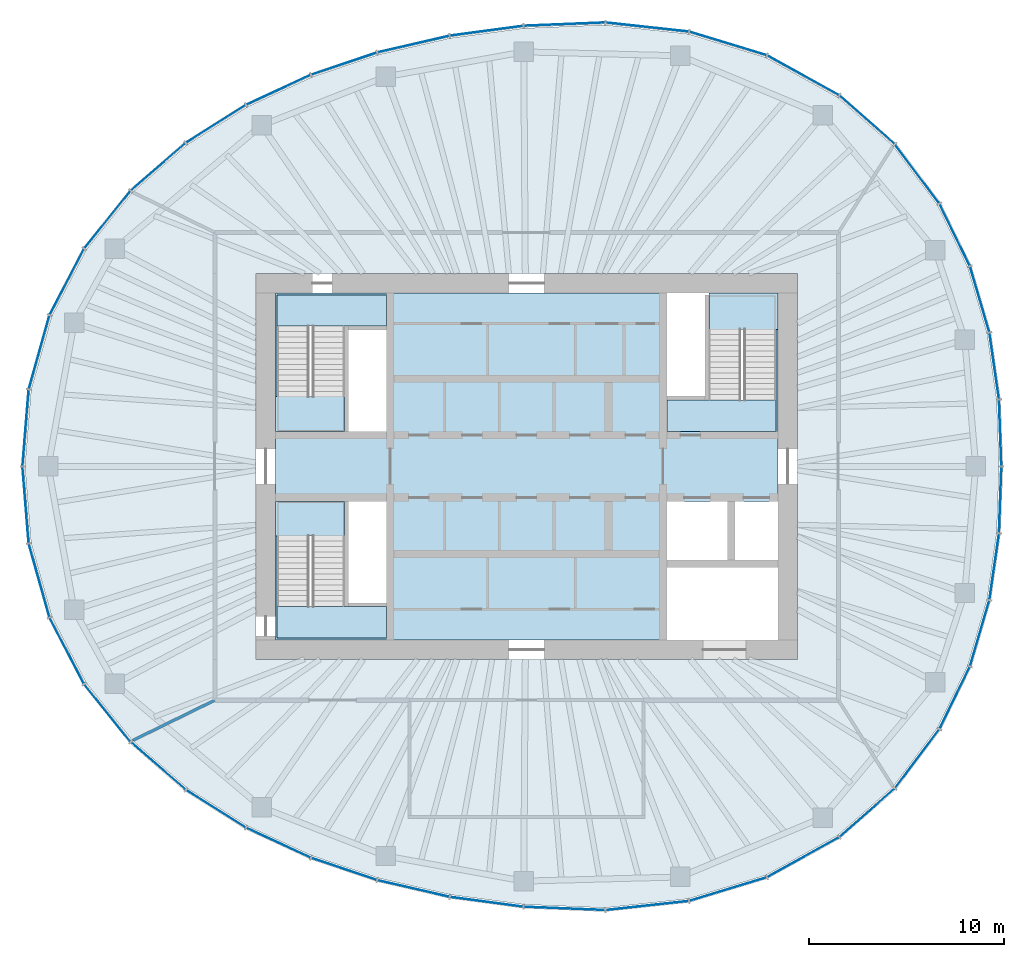
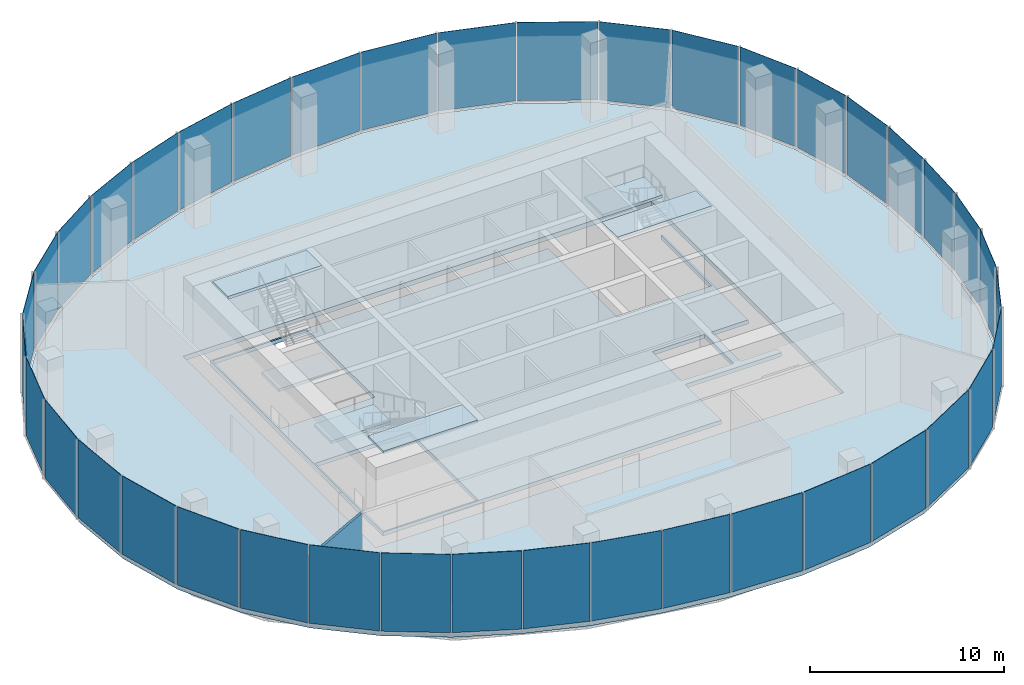
# One storey, part 7 of 11: 40 plates, 8 slabs, 1 wall, 23 elements without a shape of their own.
"""IFC4 building model written with IfcOpenShell, lengths in metres."""

from ifc_helpers import new_model, si_unit, direction, frame, frame_2d, origin, origin_2d, place, context, subcontext, project, spatial, polyline, rectangle, outline, extrude, material, layer, layer_set, type_object, element, aggregate, save


model = new_model("IFC4")

# Units and contexts
model_context = context("Model", 3, precision=1e-05, world=origin(), true_north=direction((0.0, 1.0)))
body_context = subcontext(model_context, "Body", "Model", "MODEL_VIEW")
ifc_project = project(units=[si_unit("LENGTHUNIT", "METRE"), si_unit("AREAUNIT", "SQUARE_METRE"), si_unit("VOLUMEUNIT", "CUBIC_METRE"), si_unit("PLANEANGLEUNIT", "RADIAN"), si_unit("MASSUNIT", "GRAM", prefix="KILO")], contexts=[model_context])

# Site, building, storey
site_placement = place(None, origin())
site = spatial("IfcSite", under=ifc_project, at=site_placement, CompositionType="ELEMENT")
building_placement = place(site_placement, origin())
building = spatial("IfcBuilding", under=site, at=building_placement, Name="Ghaith Harvest Tower", CompositionType="ELEMENT")
storey_placement = place(building_placement, frame((0.0, 0.0, 344.199951171875)))
storey = spatial("IfcBuildingStorey", under=building, at=storey_placement, Name="L77", CompositionType="ELEMENT", Elevation=344.199951171875)

# Curtain wall, plates
ifc_material_1 = material(Name="Black anodised aluminium and fritted glass", Category="aluminium")
curtain_wall_type = type_object("IfcCurtainWallType", Name="CW-C CURTAIN WALL", PredefinedType="NOTDEFINED", material=ifc_material_1)
curtain_wall_1_placement = place(storey_placement, origin())
curtain_wall_1 = element("IfcCurtainWall", 1, at=curtain_wall_1_placement, inside=storey, type_object=curtain_wall_type, Name="Curtain wall CW-C bay 01 L77", PredefinedType="NOTDEFINED")
ifc_material_2 = material(Name="Glass, translucent fritted laminated unit", Category="glass")
ifc_layer_1 = layer(ifc_material_2, 0.02392578125)
ifc_layer_set_1 = layer_set([ifc_layer_1], Name="CW-C VISION PANEL")
plate_type = type_object("IfcPlateType", Name="CW-C VISION PANEL", PredefinedType="CURTAIN_PANEL", material=ifc_layer_set_1)
plate_1_placement = place(storey_placement, frame((24.308837890625, 1.716796875, 0.080078125), z_axis=(0.0, 0.0, 1.0), x_axis=(-0.035536161859, 0.999368391135, 0.0)))
plate_1 = element("IfcPlate", 2, at=plate_1_placement, type_object=plate_type, Name="CW-C panel 1 bay 01 L77", PredefinedType="CURTAIN_PANEL", context=body_context, shape_type="SweptSolid", body=[
    extrude(rectangle(XDim=3.35595703125, YDim=0.02392578125, at=origin_2d()), origin(), (0.0, 0.0, 1.0), 4.919921875),
])
plate_2_placement = place(storey_placement, frame((24.00048828125, 5.1494140625, 0.080078125), z_axis=(0.0, 0.0, 1.0), x_axis=(-0.142729771229, 0.989761694755, 0.0)))
plate_2 = element("IfcPlate", 3, at=plate_2_placement, type_object=plate_type, Name="CW-C panel 2 bay 01 L77", PredefinedType="CURTAIN_PANEL", context=body_context, shape_type="SweptSolid", body=[
    extrude(rectangle(XDim=3.38671875, YDim=0.02392578125, at=origin_2d()), origin(), (0.0, 0.0, 1.0), 4.919921875),
])
aggregate(curtain_wall_1, [plate_1, plate_2])

curtain_wall_2_placement = place(storey_placement, origin())
curtain_wall_2 = element("IfcCurtainWall", 4, at=curtain_wall_2_placement, inside=storey, type_object=curtain_wall_type, Name="Curtain wall CW-C bay 02 L77", PredefinedType="NOTDEFINED")
plate_3_placement = place(storey_placement, frame((23.253662109375, 8.56884765625, 0.080078125), z_axis=(0.0, 0.0, 1.0), x_axis=(-0.281344622776, 0.959606796159, 0.0)))
plate_3 = element("IfcPlate", 5, at=plate_3_placement, type_object=plate_type, Name="CW-C panel 1 bay 02 L77", PredefinedType="CURTAIN_PANEL", context=body_context, shape_type="SweptSolid", body=[
    extrude(rectangle(XDim=3.470703125, YDim=0.02392578125, at=origin_2d()), origin(), (0.0, 0.0, 1.0), 4.919921875),
])
plate_4_placement = place(storey_placement, frame((21.9716796875, 11.878662109375, 0.080078125), z_axis=(0.0, 0.0, 1.0), x_axis=(-0.437968365148, 0.898990384337, 0.0)))
plate_4 = element("IfcPlate", 6, at=plate_4_placement, type_object=plate_type, Name="CW-C panel 2 bay 02 L77", PredefinedType="CURTAIN_PANEL", context=body_context, shape_type="SweptSolid", body=[
    extrude(rectangle(XDim=3.49365234375, YDim=0.02392578125, at=origin_2d()), origin(), (0.0, 0.0, 1.0), 4.919921875),
])
aggregate(curtain_wall_2, [plate_3, plate_4])

curtain_wall_3_placement = place(storey_placement, origin())
curtain_wall_3 = element("IfcCurtainWall", 7, at=curtain_wall_3_placement, inside=storey, type_object=curtain_wall_type, Name="Curtain wall CW-C bay 03 L77", PredefinedType="NOTDEFINED")
plate_5_placement = place(storey_placement, frame((20.045166015625, 15.006103515625, 0.080078125), z_axis=(0.0, 0.0, 1.0), x_axis=(-0.601047892764, 0.799213007029, 0.0)))
plate_5 = element("IfcPlate", 8, at=plate_5_placement, type_object=plate_type, Name="CW-C panel 1 bay 03 L77", PredefinedType="CURTAIN_PANEL", context=body_context, shape_type="SweptSolid", body=[
    extrude(rectangle(XDim=3.7265625, YDim=0.02392578125, at=origin_2d()), origin(), (0.0, 0.0, 1.0), 4.919921875),
])
plate_6_placement = place(storey_placement, frame((17.47509765625, 17.779541015625, 0.080078125), z_axis=(0.0, 0.0, 1.0), x_axis=(-0.751334532416, 0.659921525941, 0.0)))
plate_6 = element("IfcPlate", 9, at=plate_6_placement, type_object=plate_type, Name="CW-C panel 2 bay 03 L77", PredefinedType="CURTAIN_PANEL", context=body_context, shape_type="SweptSolid", body=[
    extrude(rectangle(XDim=3.7158203125, YDim=0.02392578125, at=origin_2d()), origin(), (0.0, 0.0, 1.0), 4.919921875),
])
aggregate(curtain_wall_3, [plate_5, plate_6])

curtain_wall_4_placement = place(storey_placement, origin())
curtain_wall_4 = element("IfcCurtainWall", 10, at=curtain_wall_4_placement, inside=storey, type_object=curtain_wall_type, Name="Curtain wall CW-C bay 04 L77", PredefinedType="NOTDEFINED")
plate_7_placement = place(storey_placement, frame((14.19189453125, 20.06201171875, 0.080078125), z_axis=(0.0, 0.0, 1.0), x_axis=(-0.87456402291, 0.484910063653, 0.0)))
plate_7 = element("IfcPlate", 11, at=plate_7_placement, type_object=plate_type, Name="CW-C panel 1 bay 04 L77", PredefinedType="CURTAIN_PANEL", context=body_context, shape_type="SweptSolid", body=[
    extrude(rectangle(XDim=4.167724609375, YDim=0.02392578125, at=origin_2d()), origin(), (0.0, 0.0, 1.0), 4.919921875),
])
plate_8_placement = place(storey_placement, frame((10.337158203125, 21.700439453125, 0.080078125), z_axis=(0.0, 0.0, 1.0), x_axis=(-0.956587736124, 0.291444511181, 0.0)))
plate_8 = element("IfcPlate", 12, at=plate_8_placement, type_object=plate_type, Name="CW-C panel 2 bay 04 L77", PredefinedType="CURTAIN_PANEL", context=body_context, shape_type="SweptSolid", body=[
    extrude(rectangle(XDim=4.095703125, YDim=0.02392578125, at=origin_2d()), origin(), (0.0, 0.0, 1.0), 4.919921875),
])
aggregate(curtain_wall_4, [plate_7, plate_8])

curtain_wall_5_placement = place(storey_placement, origin())
curtain_wall_5 = element("IfcCurtainWall", 13, at=curtain_wall_5_placement, inside=storey, type_object=curtain_wall_type, Name="Curtain wall CW-C bay 05 L77", PredefinedType="NOTDEFINED")
plate_9_placement = place(storey_placement, frame((6.188720703125, 22.542724609375, 0.080078125), z_axis=(0.0, 0.0, 1.0), x_axis=(-0.994142883447, 0.108073712304, 0.0)))
plate_9 = element("IfcPlate", 14, at=plate_9_placement, type_object=plate_type, Name="CW-C panel 1 bay 05 L77", PredefinedType="CURTAIN_PANEL", context=body_context, shape_type="SweptSolid", body=[
    extrude(rectangle(XDim=4.24755859375, YDim=0.02392578125, at=origin_2d()), origin(), (0.0, 0.0, 1.0), 4.919921875),
])
plate_10_placement = place(storey_placement, frame((1.94140625, 22.691162109375, 0.080078125), z_axis=(0.0, 0.0, 1.0), x_axis=(-0.999173925852, -0.040638231968, 0.0)))
plate_10 = element("IfcPlate", 15, at=plate_10_placement, type_object=plate_type, Name="CW-C panel 2 bay 05 L77", PredefinedType="CURTAIN_PANEL", context=body_context, shape_type="SweptSolid", body=[
    extrude(rectangle(XDim=4.115966796875, YDim=0.02392578125, at=origin_2d()), origin(), (0.0, 0.0, 1.0), 4.919921875),
])
aggregate(curtain_wall_5, [plate_9, plate_10])

curtain_wall_6_placement = place(storey_placement, origin())
curtain_wall_6 = element("IfcCurtainWall", 16, at=curtain_wall_6_placement, inside=storey, type_object=curtain_wall_type, Name="Curtain wall CW-C bay 06 L77", PredefinedType="NOTDEFINED")
plate_11_placement = place(storey_placement, frame((-2.050537109375, 22.352294921875, 0.080078125), z_axis=(0.0, 0.0, 1.0), x_axis=(-0.991165262661, -0.132632658474, 0.0)))
plate_11 = element("IfcPlate", 17, at=plate_11_placement, type_object=plate_type, Name="CW-C panel 1 bay 06 L77", PredefinedType="CURTAIN_PANEL", context=body_context, shape_type="SweptSolid", body=[
    extrude(rectangle(XDim=3.74560546875, YDim=0.02392578125, at=origin_2d()), origin(), (0.0, 0.0, 1.0), 4.919921875),
])
plate_12_placement = place(storey_placement, frame((-5.80859375, 21.66845703125, 0.080078125), z_axis=(0.0, 0.0, 1.0), x_axis=(-0.974342245415, -0.225071519297, 0.0)))
plate_12 = element("IfcPlate", 18, at=plate_12_placement, type_object=plate_type, Name="CW-C panel 2 bay 06 L77", PredefinedType="CURTAIN_PANEL", context=body_context, shape_type="SweptSolid", body=[
    extrude(rectangle(XDim=3.742431640625, YDim=0.02392578125, at=origin_2d()), origin(), (0.0, 0.0, 1.0), 4.919921875),
])
aggregate(curtain_wall_6, [plate_11, plate_12])

curtain_wall_7_placement = place(storey_placement, origin())
curtain_wall_7 = element("IfcCurtainWall", 19, at=curtain_wall_7_placement, inside=storey, type_object=curtain_wall_type, Name="Curtain wall CW-C bay 07 L77", PredefinedType="NOTDEFINED")
plate_13_placement = place(storey_placement, frame((-9.369140625, 20.665771484375, 0.080078125), z_axis=(0.0, 0.0, 1.0), x_axis=(-0.947586403329, -0.319499621637, 0.0)))
plate_13 = element("IfcPlate", 20, at=plate_13_placement, type_object=plate_type, Name="CW-C panel 1 bay 07 L77", PredefinedType="CURTAIN_PANEL", context=body_context, shape_type="SweptSolid", body=[
    extrude(rectangle(XDim=3.50439453125, YDim=0.02392578125, at=origin_2d()), origin(), (0.0, 0.0, 1.0), 4.919921875),
])
plate_14_placement = place(storey_placement, frame((-12.736083984375, 19.3203125, 0.080078125), z_axis=(0.0, 0.0, 1.0), x_axis=(-0.907450165401, -0.420159728334, 0.0)))
plate_14 = element("IfcPlate", 21, at=plate_14_placement, type_object=plate_type, Name="CW-C panel 2 bay 07 L77", PredefinedType="CURTAIN_PANEL", context=body_context, shape_type="SweptSolid", body=[
    extrude(rectangle(XDim=3.597900390625, YDim=0.02392578125, at=origin_2d()), origin(), (0.0, 0.0, 1.0), 4.919921875),
])
aggregate(curtain_wall_7, [plate_13, plate_14])

curtain_wall_8_placement = place(storey_placement, origin())
curtain_wall_8 = element("IfcCurtainWall", 22, at=curtain_wall_8_placement, inside=storey, type_object=curtain_wall_type, Name="Curtain wall CW-C bay 08 L77", PredefinedType="NOTDEFINED")
plate_15_placement = place(storey_placement, frame((-15.94970703125, 17.57421875, 0.080078125), z_axis=(0.0, 0.0, 1.0), x_axis=(-0.846043473903, -0.533113909279, 0.0)))
plate_15 = element("IfcPlate", 23, at=plate_15_placement, type_object=plate_type, Name="CW-C panel 1 bay 08 L77", PredefinedType="CURTAIN_PANEL", context=body_context, shape_type="SweptSolid", body=[
    extrude(rectangle(XDim=3.572021484375, YDim=0.02392578125, at=origin_2d()), origin(), (0.0, 0.0, 1.0), 4.919921875),
])
plate_16_placement = place(storey_placement, frame((-18.909423828125, 15.371337890625, 0.080078125), z_axis=(0.0, 0.0, 1.0), x_axis=(-0.754828549513, -0.655922145411, 0.0)))
plate_16 = element("IfcPlate", 24, at=plate_16_placement, type_object=plate_type, Name="CW-C panel 2 bay 08 L77", PredefinedType="CURTAIN_PANEL", context=body_context, shape_type="SweptSolid", body=[
    extrude(rectangle(XDim=3.668701171875, YDim=0.02392578125, at=origin_2d()), origin(), (0.0, 0.0, 1.0), 4.919921875),
])
aggregate(curtain_wall_8, [plate_15, plate_16])

curtain_wall_9_placement = place(storey_placement, origin())
curtain_wall_9 = element("IfcCurtainWall", 25, at=curtain_wall_9_placement, inside=storey, type_object=curtain_wall_type, Name="Curtain wall CW-C bay 09 L77", PredefinedType="NOTDEFINED")
plate_17_placement = place(storey_placement, frame((-21.515380859375, 12.6591796875, 0.080078125), z_axis=(0.0, 0.0, 1.0), x_axis=(-0.626229505742, -0.779638766441, 0.0)))
plate_17 = element("IfcPlate", 26, at=plate_17_placement, type_object=plate_type, Name="CW-C panel 1 bay 09 L77", PredefinedType="CURTAIN_PANEL", context=body_context, shape_type="SweptSolid", body=[
    extrude(rectangle(XDim=3.723388671875, YDim=0.02392578125, at=origin_2d()), origin(), (0.0, 0.0, 1.0), 4.919921875),
])
plate_18_placement = place(storey_placement, frame((-23.594482421875, 9.4677734375, 0.080078125), z_axis=(0.0, 0.0, 1.0), x_axis=(-0.461229945578, -0.887280641794, 0.0)))
plate_18 = element("IfcPlate", 27, at=plate_18_placement, type_object=plate_type, Name="CW-C panel 2 bay 09 L77", PredefinedType="CURTAIN_PANEL", context=body_context, shape_type="SweptSolid", body=[
    extrude(rectangle(XDim=3.771728515625, YDim=0.02392578125, at=origin_2d()), origin(), (0.0, 0.0, 1.0), 4.919921875),
])
aggregate(curtain_wall_9, [plate_17, plate_18])

curtain_wall_10_placement = place(storey_placement, origin())
curtain_wall_10 = element("IfcCurtainWall", 28, at=curtain_wall_10_placement, inside=storey, type_object=curtain_wall_type, Name="Curtain wall CW-C bay 10 L77", PredefinedType="NOTDEFINED")
plate_19_placement = place(storey_placement, frame((-25.017333984375, 5.85546875, 0.080078125), z_axis=(0.0, 0.0, 1.0), x_axis=(-0.270355239749, -0.962760637095, 0.0)))
plate_19 = element("IfcPlate", 29, at=plate_19_placement, type_object=plate_type, Name="CW-C panel 1 bay 10 L77", PredefinedType="CURTAIN_PANEL", context=body_context, shape_type="SweptSolid", body=[
    extrude(rectangle(XDim=3.874267578125, YDim=0.02392578125, at=origin_2d()), origin(), (0.0, 0.0, 1.0), 4.919921875),
])
plate_20_placement = place(storey_placement, frame((-25.7109375, 1.97607421875, 0.080078125), z_axis=(0.0, 0.0, 1.0), x_axis=(-0.080257648011, -0.99677415192, 0.0)))
plate_20 = element("IfcPlate", 30, at=plate_20_placement, type_object=plate_type, Name="CW-C panel 2 bay 10 L77", PredefinedType="CURTAIN_PANEL", context=body_context, shape_type="SweptSolid", body=[
    extrude(rectangle(XDim=3.884765625, YDim=0.02392578125, at=origin_2d()), origin(), (0.0, 0.0, 1.0), 4.919921875),
])
aggregate(curtain_wall_10, [plate_19, plate_20])

curtain_wall_11_placement = place(storey_placement, origin())
curtain_wall_11 = element("IfcCurtainWall", 31, at=curtain_wall_11_placement, inside=storey, type_object=curtain_wall_type, Name="Curtain wall CW-C bay 11 L77", PredefinedType="NOTDEFINED")
plate_21_placement = place(storey_placement, frame((-25.7109375, -1.97607421875, 0.080078125), z_axis=(0.0, 0.0, 1.0), x_axis=(0.080257648324, -0.996774151895, 0.0)))
plate_21 = element("IfcPlate", 32, at=plate_21_placement, type_object=plate_type, Name="CW-C panel 1 bay 11 L77", PredefinedType="CURTAIN_PANEL", context=body_context, shape_type="SweptSolid", body=[
    extrude(rectangle(XDim=3.884765625, YDim=0.02392578125, at=origin_2d()), origin(), (0.0, 0.0, 1.0), 4.919921875),
])
plate_22_placement = place(storey_placement, frame((-25.017333984375, -5.85546875, 0.080078125), z_axis=(0.0, 0.0, 1.0), x_axis=(0.27035523953, -0.962760637157, 0.0)))
plate_22 = element("IfcPlate", 33, at=plate_22_placement, type_object=plate_type, Name="CW-C panel 2 bay 11 L77", PredefinedType="CURTAIN_PANEL", context=body_context, shape_type="SweptSolid", body=[
    extrude(rectangle(XDim=3.874267578125, YDim=0.02392578125, at=origin_2d()), origin(), (0.0, 0.0, 1.0), 4.919921875),
])
aggregate(curtain_wall_11, [plate_21, plate_22])

curtain_wall_12_placement = place(storey_placement, origin())
curtain_wall_12 = element("IfcCurtainWall", 34, at=curtain_wall_12_placement, inside=storey, type_object=curtain_wall_type, Name="Curtain wall CW-C bay 12 L77", PredefinedType="NOTDEFINED")
plate_23_placement = place(storey_placement, frame((-23.594482421875, -9.4677734375, 0.080078125), z_axis=(0.0, 0.0, 1.0), x_axis=(0.461229945377, -0.887280641898, 0.0)))
plate_23 = element("IfcPlate", 35, at=plate_23_placement, type_object=plate_type, Name="CW-C panel 1 bay 12 L77", PredefinedType="CURTAIN_PANEL", context=body_context, shape_type="SweptSolid", body=[
    extrude(rectangle(XDim=3.771728515625, YDim=0.02392578125, at=origin_2d()), origin(), (0.0, 0.0, 1.0), 4.919921875),
])
plate_24_placement = place(storey_placement, frame((-21.515380859375, -12.6591796875, 0.080078125), z_axis=(0.0, 0.0, 1.0), x_axis=(0.626229505565, -0.779638766583, 0.0)))
plate_24 = element("IfcPlate", 36, at=plate_24_placement, type_object=plate_type, Name="CW-C panel 2 bay 12 L77", PredefinedType="CURTAIN_PANEL", context=body_context, shape_type="SweptSolid", body=[
    extrude(rectangle(XDim=3.723388671875, YDim=0.02392578125, at=origin_2d()), origin(), (0.0, 0.0, 1.0), 4.919921875),
])
aggregate(curtain_wall_12, [plate_23, plate_24])

curtain_wall_13_placement = place(storey_placement, origin())
curtain_wall_13 = element("IfcCurtainWall", 37, at=curtain_wall_13_placement, inside=storey, type_object=curtain_wall_type, Name="Curtain wall CW-C bay 13 L77", PredefinedType="NOTDEFINED")
plate_25_placement = place(storey_placement, frame((-18.909423828125, -15.371337890625, 0.080078125), z_axis=(0.0, 0.0, 1.0), x_axis=(0.754828549376, -0.655922145569, 0.0)))
plate_25 = element("IfcPlate", 38, at=plate_25_placement, type_object=plate_type, Name="CW-C panel 1 bay 13 L77", PredefinedType="CURTAIN_PANEL", context=body_context, shape_type="SweptSolid", body=[
    extrude(rectangle(XDim=3.668701171875, YDim=0.02392578125, at=origin_2d()), origin(), (0.0, 0.0, 1.0), 4.919921875),
])
plate_26_placement = place(storey_placement, frame((-15.94970703125, -17.57421875, 0.080078125), z_axis=(0.0, 0.0, 1.0), x_axis=(0.846043474052, -0.533113909042, 0.0)))
plate_26 = element("IfcPlate", 39, at=plate_26_placement, type_object=plate_type, Name="CW-C panel 2 bay 13 L77", PredefinedType="CURTAIN_PANEL", context=body_context, shape_type="SweptSolid", body=[
    extrude(rectangle(XDim=3.572021484375, YDim=0.02392578125, at=origin_2d()), origin(), (0.0, 0.0, 1.0), 4.919921875),
])
aggregate(curtain_wall_13, [plate_25, plate_26])

curtain_wall_14_placement = place(storey_placement, origin())
curtain_wall_14 = element("IfcCurtainWall", 40, at=curtain_wall_14_placement, inside=storey, type_object=curtain_wall_type, Name="Curtain wall CW-C bay 14 L77", PredefinedType="NOTDEFINED")
plate_27_placement = place(storey_placement, frame((-12.736083984375, -19.3203125, 0.080078125), z_axis=(0.0, 0.0, 1.0), x_axis=(0.907450165812, -0.420159727447, 0.0)))
plate_27 = element("IfcPlate", 41, at=plate_27_placement, type_object=plate_type, Name="CW-C panel 1 bay 14 L77", PredefinedType="CURTAIN_PANEL", context=body_context, shape_type="SweptSolid", body=[
    extrude(rectangle(XDim=3.597900390625, YDim=0.02392578125, at=origin_2d()), origin(), (0.0, 0.0, 1.0), 4.919921875),
])
plate_28_placement = place(storey_placement, frame((-9.369140625, -20.665771484375, 0.080078125), z_axis=(0.0, 0.0, 1.0), x_axis=(0.947586403597, -0.319499620843, 0.0)))
plate_28 = element("IfcPlate", 42, at=plate_28_placement, type_object=plate_type, Name="CW-C panel 2 bay 14 L77", PredefinedType="CURTAIN_PANEL", context=body_context, shape_type="SweptSolid", body=[
    extrude(rectangle(XDim=3.50439453125, YDim=0.02392578125, at=origin_2d()), origin(), (0.0, 0.0, 1.0), 4.919921875),
])
aggregate(curtain_wall_14, [plate_27, plate_28])

curtain_wall_15_placement = place(storey_placement, origin())
curtain_wall_15 = element("IfcCurtainWall", 43, at=curtain_wall_15_placement, inside=storey, type_object=curtain_wall_type, Name="Curtain wall CW-C bay 15 L77", PredefinedType="NOTDEFINED")
plate_29_placement = place(storey_placement, frame((-5.80859375, -21.66845703125, 0.080078125), z_axis=(0.0, 0.0, 1.0), x_axis=(0.974342245521, -0.225071518838, 0.0)))
plate_29 = element("IfcPlate", 44, at=plate_29_placement, type_object=plate_type, Name="CW-C panel 1 bay 15 L77", PredefinedType="CURTAIN_PANEL", context=body_context, shape_type="SweptSolid", body=[
    extrude(rectangle(XDim=3.742431640625, YDim=0.02392578125, at=origin_2d()), origin(), (0.0, 0.0, 1.0), 4.919921875),
])
plate_30_placement = place(storey_placement, frame((-2.050537109375, -22.352294921875, 0.080078125), z_axis=(0.0, 0.0, 1.0), x_axis=(0.991165262684, -0.132632658301, 0.0)))
plate_30 = element("IfcPlate", 45, at=plate_30_placement, type_object=plate_type, Name="CW-C panel 2 bay 15 L77", PredefinedType="CURTAIN_PANEL", context=body_context, shape_type="SweptSolid", body=[
    extrude(rectangle(XDim=3.74560546875, YDim=0.02392578125, at=origin_2d()), origin(), (0.0, 0.0, 1.0), 4.919921875),
])
aggregate(curtain_wall_15, [plate_29, plate_30])

curtain_wall_16_placement = place(storey_placement, origin())
curtain_wall_16 = element("IfcCurtainWall", 46, at=curtain_wall_16_placement, inside=storey, type_object=curtain_wall_type, Name="Curtain wall CW-C bay 16 L77", PredefinedType="NOTDEFINED")
plate_31_placement = place(storey_placement, frame((1.94140625, -22.691162109375, 0.080078125), z_axis=(0.0, 0.0, 1.0), x_axis=(0.999173925863, -0.040638231706, 0.0)))
plate_31 = element("IfcPlate", 47, at=plate_31_placement, type_object=plate_type, Name="CW-C panel 1 bay 16 L77", PredefinedType="CURTAIN_PANEL", context=body_context, shape_type="SweptSolid", body=[
    extrude(rectangle(XDim=4.115966796875, YDim=0.02392578125, at=origin_2d()), origin(), (0.0, 0.0, 1.0), 4.919921875),
])
plate_32_placement = place(storey_placement, frame((6.188720703125, -22.542724609375, 0.080078125), z_axis=(0.0, 0.0, 1.0), x_axis=(0.994142883417, 0.108073712581, 0.0)))
plate_32 = element("IfcPlate", 48, at=plate_32_placement, type_object=plate_type, Name="CW-C panel 2 bay 16 L77", PredefinedType="CURTAIN_PANEL", context=body_context, shape_type="SweptSolid", body=[
    extrude(rectangle(XDim=4.24755859375, YDim=0.02392578125, at=origin_2d()), origin(), (0.0, 0.0, 1.0), 4.919921875),
])
aggregate(curtain_wall_16, [plate_31, plate_32])

curtain_wall_17_placement = place(storey_placement, origin())
curtain_wall_17 = element("IfcCurtainWall", 49, at=curtain_wall_17_placement, inside=storey, type_object=curtain_wall_type, Name="Curtain wall CW-C bay 17 L77", PredefinedType="NOTDEFINED")
plate_33_placement = place(storey_placement, frame((10.337158203125, -21.700439453125, 0.080078125), z_axis=(0.0, 0.0, 1.0), x_axis=(0.956587736012, 0.291444511548, 0.0)))
plate_33 = element("IfcPlate", 50, at=plate_33_placement, type_object=plate_type, Name="CW-C panel 1 bay 17 L77", PredefinedType="CURTAIN_PANEL", context=body_context, shape_type="SweptSolid", body=[
    extrude(rectangle(XDim=4.095703125, YDim=0.02392578125, at=origin_2d()), origin(), (0.0, 0.0, 1.0), 4.919921875),
])
plate_34_placement = place(storey_placement, frame((14.19189453125, -20.06201171875, 0.080078125), z_axis=(0.0, 0.0, 1.0), x_axis=(0.874564022715, 0.484910064004, 0.0)))
plate_34 = element("IfcPlate", 51, at=plate_34_placement, type_object=plate_type, Name="CW-C panel 2 bay 17 L77", PredefinedType="CURTAIN_PANEL", context=body_context, shape_type="SweptSolid", body=[
    extrude(rectangle(XDim=4.167724609375, YDim=0.02392578125, at=origin_2d()), origin(), (0.0, 0.0, 1.0), 4.919921875),
])
aggregate(curtain_wall_17, [plate_33, plate_34])

curtain_wall_18_placement = place(storey_placement, origin())
curtain_wall_18 = element("IfcCurtainWall", 52, at=curtain_wall_18_placement, inside=storey, type_object=curtain_wall_type, Name="Curtain wall CW-C bay 18 L77", PredefinedType="NOTDEFINED")
plate_35_placement = place(storey_placement, frame((17.47509765625, -17.779541015625, 0.080078125), z_axis=(0.0, 0.0, 1.0), x_axis=(0.751334532577, 0.659921525757, 0.0)))
plate_35 = element("IfcPlate", 53, at=plate_35_placement, type_object=plate_type, Name="CW-C panel 1 bay 18 L77", PredefinedType="CURTAIN_PANEL", context=body_context, shape_type="SweptSolid", body=[
    extrude(rectangle(XDim=3.7158203125, YDim=0.02392578125, at=origin_2d()), origin(), (0.0, 0.0, 1.0), 4.919921875),
])
plate_36_placement = place(storey_placement, frame((20.045166015625, -15.006103515625, 0.080078125), z_axis=(0.0, 0.0, 1.0), x_axis=(0.601047892945, 0.799213006892, 0.0)))
plate_36 = element("IfcPlate", 54, at=plate_36_placement, type_object=plate_type, Name="CW-C panel 2 bay 18 L77", PredefinedType="CURTAIN_PANEL", context=body_context, shape_type="SweptSolid", body=[
    extrude(rectangle(XDim=3.7265625, YDim=0.02392578125, at=origin_2d()), origin(), (0.0, 0.0, 1.0), 4.919921875),
])
aggregate(curtain_wall_18, [plate_35, plate_36])

curtain_wall_19_placement = place(storey_placement, origin())
curtain_wall_19 = element("IfcCurtainWall", 55, at=curtain_wall_19_placement, inside=storey, type_object=curtain_wall_type, Name="Curtain wall CW-C bay 19 L77", PredefinedType="NOTDEFINED")
plate_37_placement = place(storey_placement, frame((21.9716796875, -11.878662109375, 0.080078125), z_axis=(0.0, 0.0, 1.0), x_axis=(0.437968365352, 0.898990384237, 0.0)))
plate_37 = element("IfcPlate", 56, at=plate_37_placement, type_object=plate_type, Name="CW-C panel 1 bay 19 L77", PredefinedType="CURTAIN_PANEL", context=body_context, shape_type="SweptSolid", body=[
    extrude(rectangle(XDim=3.49365234375, YDim=0.02392578125, at=origin_2d()), origin(), (0.0, 0.0, 1.0), 4.919921875),
])
plate_38_placement = place(storey_placement, frame((23.253662109375, -8.56884765625, 0.080078125), z_axis=(0.0, 0.0, 1.0), x_axis=(0.281344622977, 0.9596067961, 0.0)))
plate_38 = element("IfcPlate", 57, at=plate_38_placement, type_object=plate_type, Name="CW-C panel 2 bay 19 L77", PredefinedType="CURTAIN_PANEL", context=body_context, shape_type="SweptSolid", body=[
    extrude(rectangle(XDim=3.470703125, YDim=0.02392578125, at=origin_2d()), origin(), (0.0, 0.0, 1.0), 4.919921875),
])
aggregate(curtain_wall_19, [plate_37, plate_38])

curtain_wall_20_placement = place(storey_placement, origin())
curtain_wall_20 = element("IfcCurtainWall", 58, at=curtain_wall_20_placement, inside=storey, type_object=curtain_wall_type, Name="Curtain wall CW-C bay 20 L77", PredefinedType="NOTDEFINED")
plate_39_placement = place(storey_placement, frame((24.00048828125, -5.1494140625, 0.080078125), z_axis=(0.0, 0.0, 1.0), x_axis=(0.142729771402, 0.98976169473, 0.0)))
plate_39 = element("IfcPlate", 59, at=plate_39_placement, type_object=plate_type, Name="CW-C panel 1 bay 20 L77", PredefinedType="CURTAIN_PANEL", context=body_context, shape_type="SweptSolid", body=[
    extrude(rectangle(XDim=3.38671875, YDim=0.02392578125, at=origin_2d()), origin(), (0.0, 0.0, 1.0), 4.919921875),
])
plate_40_placement = place(storey_placement, frame((24.308837890625, -1.716796875, 0.080078125), z_axis=(0.0, 0.0, 1.0), x_axis=(0.035536161929, 0.999368391133, 0.0)))
plate_40 = element("IfcPlate", 60, at=plate_40_placement, type_object=plate_type, Name="CW-C panel 2 bay 20 L77", PredefinedType="CURTAIN_PANEL", context=body_context, shape_type="SweptSolid", body=[
    extrude(rectangle(XDim=3.35595703125, YDim=0.02392578125, at=origin_2d()), origin(), (0.0, 0.0, 1.0), 4.919921875),
])
aggregate(curtain_wall_20, [plate_39, plate_40])

# Slabs
ifc_material_3 = material(Name="Concrete C40/50", Category="concrete")
ifc_layer_2 = layer(ifc_material_3, 0.25)
ifc_layer_set_2 = layer_set([ifc_layer_2], Name="FLOOR SLAB 250")
slab_type_1 = type_object("IfcSlabType", Name="FLOOR SLAB 250", PredefinedType="FLOOR", material=ifc_layer_set_2)
slab_1_placement = place(storey_placement, frame((0.0, 0.0, -0.25)))
element("IfcSlab", 61, at=slab_1_placement, inside=storey, type_object=slab_type_1, Name="Core slab L77", PredefinedType="FLOOR", context=body_context, shape_type="SweptSolid", body=[
    extrude(outline(polyline([(-12.89990234375, 8.89990234375), (7.199951171875, 8.89990234375), (7.199951171875, 1.800048828125), (12.800048828125, 1.800048828125), (12.800048828125, 7.02001953125), (12.89990234375, 7.02001953125), (12.89990234375, -1.800048828125), (10.699951171875, -1.800048828125), (10.699951171875, -4.800048828125), (12.89990234375, -4.800048828125), (12.89990234375, -5.199951171875), (7.199951171875, -5.199951171875), (7.199951171875, -8.89990234375), (-12.89990234375, -8.89990234375), (-12.89990234375, 8.89990234375)]), holes=[polyline([(-7.199951171875, -1.800048828125), (-12.800048828125, -1.800048828125), (-12.800048828125, -8.800048828125), (-7.199951171875, -8.800048828125), (-7.199951171875, -1.800048828125)]), polyline([(10.300048828125, -1.800048828125), (7.199951171875, -1.800048828125), (7.199951171875, -4.800048828125), (10.300048828125, -4.800048828125), (10.300048828125, -1.800048828125)]), polyline([(-7.199951171875, 1.800048828125), (-7.199951171875, 8.800048828125), (-12.800048828125, 8.800048828125), (-12.800048828125, 1.800048828125), (-7.199951171875, 1.800048828125)])]), origin(), (0.0, 0.0, 1.0), 0.25),
])
ifc_material_4 = material(Name="Concrete C40/50", Category="concrete")
ifc_layer_3 = layer(ifc_material_4, 0.300048828125)
ifc_layer_set_3 = layer_set([ifc_layer_3], Name="FLOOR SLAB 300")
slab_type_2 = type_object("IfcSlabType", Name="FLOOR SLAB 300", PredefinedType="FLOOR", material=ifc_layer_set_3)
slab_2_placement = place(storey_placement, frame((0.0, 0.0, -0.300048828125)))
element("IfcSlab", 62, at=slab_2_placement, inside=storey, type_object=slab_type_2, Name="Floor slab L77", PredefinedType="FLOOR", context=body_context, shape_type="SweptSolid", body=[
    extrude(outline(polyline([(24.25, 0.0), (24.129150390625, 3.4169921875), (23.6376953125, 6.831787109375), (22.644775390625, 10.222900390625), (21.087890625, 13.42041015625), (18.810791015625, 16.4482421875), (15.971923828125, 18.940185546875), (12.273681640625, 20.98828125), (8.2978515625, 22.1962890625), (4.016845703125, 22.658447265625), (-0.15380859375, 22.486083984375), (-3.92529296875, 21.98046875), (-7.6298828125, 21.12548828125), (-11.009521484375, 19.98779296875), (-14.331298828125, 18.452880859375), (-17.40771484375, 16.518310546875), (-20.225830078125, 14.0732421875), (-22.5986328125, 11.12353515625), (-24.368408203125, 7.722900390625), (-25.43310546875, 3.93359375), (-25.75, 0.0), (-25.43310546875, -3.93359375), (-24.368408203125, -7.722900390625), (-22.5986328125, -11.12353515625), (-20.225830078125, -14.0732421875), (-17.40771484375, -16.518310546875), (-14.331298828125, -18.452880859375), (-11.009521484375, -19.98779296875), (-7.6298828125, -21.12548828125), (-3.92529296875, -21.98046875), (-0.15380859375, -22.486083984375), (4.016845703125, -22.658447265625), (8.2978515625, -22.1962890625), (12.273681640625, -20.98828125), (15.971923828125, -18.940185546875), (18.810791015625, -16.4482421875), (21.087890625, -13.42041015625), (22.644775390625, -10.222900390625), (23.6376953125, -6.831787109375), (24.129150390625, -3.4169921875), (24.25, 0.0)]), holes=[polyline([(-13.89990234375, -9.89990234375), (13.89990234375, -9.89990234375), (13.89990234375, 9.89990234375), (-13.89990234375, 9.89990234375), (-13.89990234375, -9.89990234375)])]), origin(), (0.0, 0.0, 1.0), 0.300048828125),
])

# Stair, slabs
ifc_material_5 = material(Name="Concrete C40/50, precast", Category="concrete")
stair_type = type_object("IfcStairType", Name="CORE STAIR 28R", PredefinedType="HALF_TURN_STAIR", material=ifc_material_5)
stair_1_placement = place(storey_placement, origin())
stair_1 = element("IfcStair", 63, at=stair_1_placement, inside=storey, type_object=stair_type, Name="Stair ST1 L77", PredefinedType="HALF_TURN_STAIR")
ifc_material_6 = material(Name="Concrete C40/50, precast", Category="concrete")
ifc_layer_4 = layer(ifc_material_6, 0.179931640625)
ifc_layer_set_4 = layer_set([ifc_layer_4], Name="STAIR LANDING 180")
slab_type_3 = type_object("IfcSlabType", Name="STAIR LANDING 180", PredefinedType="LANDING", material=ifc_layer_set_4)
slab_3_placement = place(storey_placement, frame((0.0, 0.0, 2.320068359375)))
slab_3 = element("IfcSlab", 64, at=slab_3_placement, type_object=slab_type_3, Name="ST1 landing 1", PredefinedType="LANDING", context=body_context, shape_type="SweptSolid", body=[
    extrude(outline(polyline([(-12.89990234375, 3.580078125), (-12.89990234375, 1.800048828125), (-9.35009765625, 1.800048828125), (-9.35009765625, 3.580078125), (-12.89990234375, 3.580078125)])), origin(), (0.0, 0.0, 1.0), 0.179931640625),
])
slab_4_placement = place(storey_placement, frame((0.0, 0.0, 4.820068359375)))
slab_4 = element("IfcSlab", 65, at=slab_4_placement, type_object=slab_type_3, Name="ST1 landing 2", PredefinedType="LANDING", context=body_context, shape_type="SweptSolid", body=[
    extrude(outline(polyline([(-12.800048828125, 8.800048828125), (-12.800048828125, 7.199951171875), (-7.199951171875, 7.199951171875), (-7.199951171875, 8.800048828125), (-12.800048828125, 8.800048828125)])), origin(), (0.0, 0.0, 1.0), 0.179931640625),
])
aggregate(stair_1, [slab_3, slab_4])

stair_2_placement = place(storey_placement, origin())
stair_2 = element("IfcStair", 66, at=stair_2_placement, inside=storey, type_object=stair_type, Name="Stair ST3 L77", PredefinedType="HALF_TURN_STAIR")
slab_5_placement = place(storey_placement, frame((0.0, 0.0, 2.320068359375)))
slab_5 = element("IfcSlab", 67, at=slab_5_placement, type_object=slab_type_3, Name="ST3 landing 1", PredefinedType="LANDING", context=body_context, shape_type="SweptSolid", body=[
    extrude(outline(polyline([(-12.89990234375, -3.580078125), (-12.89990234375, -1.800048828125), (-9.35009765625, -1.800048828125), (-9.35009765625, -3.580078125), (-12.89990234375, -3.580078125)])), origin(), (0.0, 0.0, 1.0), 0.179931640625),
])
slab_6_placement = place(storey_placement, frame((0.0, 0.0, 4.820068359375)))
slab_6 = element("IfcSlab", 68, at=slab_6_placement, type_object=slab_type_3, Name="ST3 landing 2", PredefinedType="LANDING", context=body_context, shape_type="SweptSolid", body=[
    extrude(outline(polyline([(-12.800048828125, -8.800048828125), (-12.800048828125, -7.199951171875), (-7.199951171875, -7.199951171875), (-7.199951171875, -8.800048828125), (-12.800048828125, -8.800048828125)])), origin(), (0.0, 0.0, 1.0), 0.179931640625),
])
aggregate(stair_2, [slab_5, slab_6])

stair_3_placement = place(storey_placement, origin())
stair_3 = element("IfcStair", 69, at=stair_3_placement, inside=storey, type_object=stair_type, Name="Stair ST2 L77", PredefinedType="HALF_TURN_STAIR")
slab_7_placement = place(storey_placement, frame((0.0, 0.0, 2.320068359375)))
slab_7 = element("IfcSlab", 70, at=slab_7_placement, type_object=slab_type_3, Name="ST2 landing 1", PredefinedType="LANDING", context=body_context, shape_type="SweptSolid", body=[
    extrude(outline(polyline([(12.89990234375, 7.02001953125), (12.89990234375, 8.89990234375), (9.35009765625, 8.89990234375), (9.35009765625, 7.02001953125), (12.89990234375, 7.02001953125)])), origin(), (0.0, 0.0, 1.0), 0.179931640625),
])
slab_8_placement = place(storey_placement, frame((0.0, 0.0, 4.820068359375)))
slab_8 = element("IfcSlab", 71, at=slab_8_placement, type_object=slab_type_3, Name="ST2 landing 2", PredefinedType="LANDING", context=body_context, shape_type="SweptSolid", body=[
    extrude(outline(polyline([(12.800048828125, 1.800048828125), (12.800048828125, 3.39990234375), (7.199951171875, 3.39990234375), (7.199951171875, 1.800048828125), (12.800048828125, 1.800048828125)])), origin(), (0.0, 0.0, 1.0), 0.179931640625),
])
aggregate(stair_3, [slab_7, slab_8])

# Wall
ifc_material_7 = material(Name="Gypsum board on steel studs", Category="steel")
ifc_layer_5 = layer(ifc_material_7, 0.14990234375)
ifc_layer_set_5 = layer_set([ifc_layer_5], Name="PARTITION 150")
wall_type = type_object("IfcWallType", Name="PARTITION 150", PredefinedType="PARTITIONING", material=ifc_layer_set_5)
wall_placement = place(storey_placement, frame((-16.017822265625, -12.0087890625, 0.0), z_axis=(0.0, 0.0, 1.0), x_axis=(-0.897771840996, -0.440460805879, 0.0)))
element("IfcWall", 72, at=wall_placement, inside=storey, type_object=wall_type, Name="Partition L77 zone division", PredefinedType="PARTITIONING", context=body_context, shape_type="SweptSolid", body=[
    extrude(rectangle(XDim=4.66552734375, YDim=0.14990234375, at=frame_2d((2.332763671875, 0.0))), origin(), (0.0, 0.0, 1.0), 4.199951171875),
])

save(model, "model.ifc")
